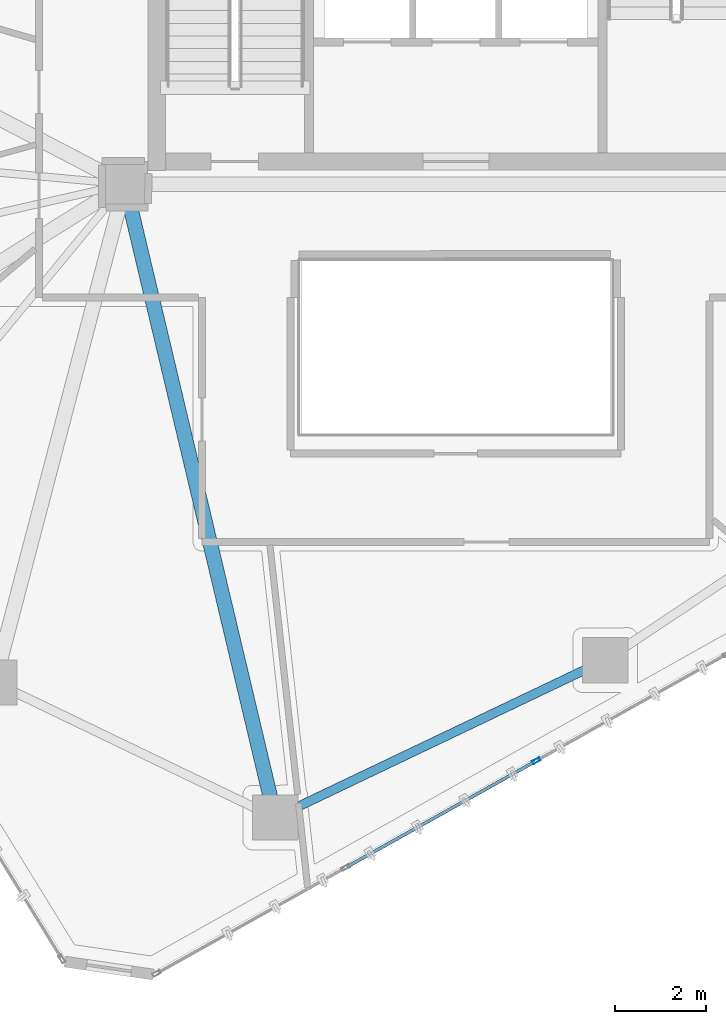
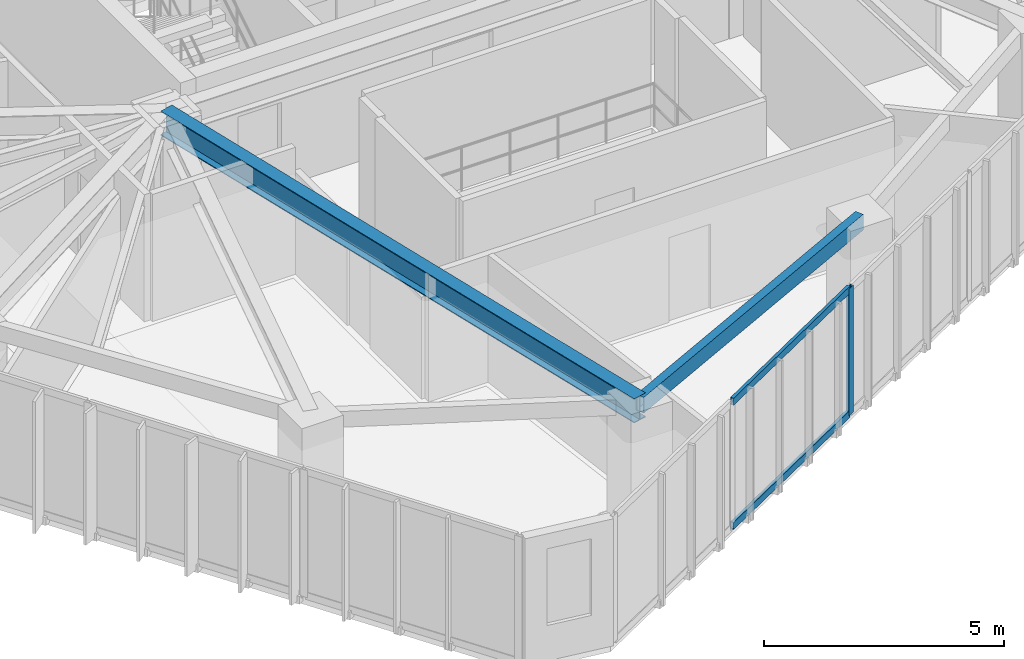
# One storey, part 4 of 19: 3 members, 2 beams, 1 element without a shape of its own.
"""IFC4 building model written with IfcOpenShell, lengths in metres."""

import ifcopenshell
import ifcopenshell.guid

model = None  # the IFC model being written
_history = None  # IfcOwnerHistory: only IFC2X3 demands one
_inside = {}  # id of a spatial element -> (the spatial element, [elements in it])
_under = {}  # id of a project, library or spatial element -> (it, [spatial elements below it])
_declared = {}  # id of a project -> (the project, [libraries it declares])
_typed = {}  # id of a type object -> (the type object, [elements of that type])
_made_of = {}  # id of a material, layer set ... -> (it, [elements and type objects made of it])


def new_model(schema):
    """Start an empty IFC model of exactly this schema.

    Asked for "IFC4X3", IfcOpenShell would pick the latest addendum, in which some entities
    have other attributes; the version numbers below select the first issue.
    IFC2X3 requires an IfcOwnerHistory on every rooted entity: one is made here for all.
    """
    global model, _history
    if schema == "IFC4X3":
        model = ifcopenshell.file(schema_version=(4, 3, 0, 0))
    else:
        model = ifcopenshell.file(schema=schema)
    _inside.clear()
    _under.clear()
    _declared.clear()
    _typed.clear()
    _made_of.clear()
    _history = None
    if model.schema == "IFC2X3":
        org = make("IfcOrganization", Name="unknown")
        user = make(
            "IfcPersonAndOrganization",
            ThePerson=make("IfcPerson", FamilyName="unknown"),
            TheOrganization=org,
        )
        app = make(
            "IfcApplication",
            ApplicationDeveloper=org,
            Version="unknown",
            ApplicationFullName="unknown",
            ApplicationIdentifier="unknown",
        )
        _history = make(
            "IfcOwnerHistory",
            OwningUser=user,
            OwningApplication=app,
            ChangeAction="ADDED",
            CreationDate=0,
        )
    return model


def make(cls, **values):
    """One entity of the class cls with the attributes given. An attribute that is None is left unset."""
    return model.create_entity(
        cls, **{name: value for name, value in values.items() if value is not None}
    )


def rooted(cls, **values):
    """An entity with a GlobalId (a new one), such as an element, a storey or a relation."""
    return make(cls, GlobalId=ifcopenshell.guid.new(), OwnerHistory=_history, **values)


def si_unit(unit_type, name, prefix=None):
    """IfcSIUnit, for example si_unit("LENGTHUNIT", "METRE", prefix="MILLI")."""
    return make("IfcSIUnit", UnitType=unit_type, Prefix=prefix, Name=name)


def assignment(units):
    """IfcUnitAssignment: the units of a project."""
    return None if units is None else make("IfcUnitAssignment", Units=units)


def point(xyz):
    """IfcCartesianPoint."""
    return None if xyz is None else make("IfcCartesianPoint", Coordinates=xyz)


def direction(xyz):
    """IfcDirection."""
    return None if xyz is None else make("IfcDirection", DirectionRatios=xyz)


def frame(location, z_axis=None, x_axis=None):
    """IfcAxis2Placement3D, a coordinate frame: its origin and axes. An axis left out is left unset."""
    return make(
        "IfcAxis2Placement3D",
        Location=point(location),
        Axis=direction(z_axis),
        RefDirection=direction(x_axis),
    )


def frame_2d(location, x_axis=None):
    """IfcAxis2Placement2D, a coordinate frame in the plane: its origin and x axis."""
    return make(
        "IfcAxis2Placement2D", Location=point(location), RefDirection=direction(x_axis)
    )


def origin():
    """The frame at (0, 0, 0) with its axes left unset."""
    return frame((0.0, 0.0, 0.0))


def origin_2d():
    """The frame at (0, 0) in the plane with its x axis left unset."""
    return frame_2d((0.0, 0.0))


def place(relative_to, where):
    """IfcLocalPlacement: puts the frame where relative to a parent placement (None: the world)."""
    return make(
        "IfcLocalPlacement", PlacementRelTo=relative_to, RelativePlacement=where
    )


def context(
    kind, dimensions, precision=None, world=None, true_north=None, identifier=None
):
    """IfcGeometricRepresentationContext, for example the 3D "Model" context."""
    return make(
        "IfcGeometricRepresentationContext",
        ContextIdentifier=identifier,
        ContextType=kind,
        CoordinateSpaceDimension=dimensions,
        Precision=precision,
        WorldCoordinateSystem=world,
        TrueNorth=true_north,
    )


def subcontext(parent, identifier, kind, view, scale=None):
    """IfcGeometricRepresentationSubContext, for example "Body" below "Model"."""
    return make(
        "IfcGeometricRepresentationSubContext",
        ContextIdentifier=identifier,
        ContextType=kind,
        ParentContext=parent,
        TargetScale=scale,
        TargetView=view,
    )


def project(units=None, contexts=None):
    """IfcProject with its units and contexts."""
    return rooted(
        "IfcProject",
        Name="project",
        RepresentationContexts=contexts,
        UnitsInContext=assignment(units),
    )


def spatial(cls, under=None, at=None, **own):
    """A site, building, storey or space (cls), placed at a placement, below another one or the project."""
    s = rooted(cls, ObjectPlacement=at, **own)
    if under is not None:
        _under.setdefault(under.id(), (under, []))[1].append(s)
    return s


def profile(cls, at=None, kind="AREA", **sizes):
    """A parametric profile (cls). Its sizes go by their IFC names, for example OverallWidth=200.0."""
    return make(cls, ProfileType=kind, Position=at, **sizes)


def hollow_rectangle(**sizes):
    """IfcRectangleHollowProfileDef."""
    return profile("IfcRectangleHollowProfileDef", **sizes)


def i_section(**sizes):
    """IfcIShapeProfileDef."""
    return profile("IfcIShapeProfileDef", **sizes)


def extrude(swept, where, along, depth):
    """IfcExtrudedAreaSolid: the profile swept, set in the frame where, extruded along a direction by depth."""
    return make(
        "IfcExtrudedAreaSolid",
        SweptArea=swept,
        Position=where,
        ExtrudedDirection=direction(along),
        Depth=depth,
    )


def shape(context_of_items, identifier, shape_type, items):
    """IfcShapeRepresentation: the items that make up one representation, for example the "Body"."""
    return make(
        "IfcShapeRepresentation",
        ContextOfItems=context_of_items,
        RepresentationIdentifier=identifier,
        RepresentationType=shape_type,
        Items=items,
    )


def source(mapping_origin, context_of_items, identifier, shape_type, items):
    """IfcRepresentationMap: a shape defined once, which mapped items show again and again."""
    return make(
        "IfcRepresentationMap",
        MappingOrigin=mapping_origin,
        MappedRepresentation=shape(context_of_items, identifier, shape_type, items),
    )


def transform(
    local_origin,
    x_axis=None,
    y_axis=None,
    z_axis=None,
    scale=None,
    scale2=None,
    scale3=None,
    uniform=True,
):
    """IfcCartesianTransformationOperator3D, or its non-uniform kind. x_axis, y_axis, z_axis: its Axis1, 2, 3."""
    if uniform:
        return make(
            "IfcCartesianTransformationOperator3D",
            Axis1=direction(x_axis),
            Axis2=direction(y_axis),
            LocalOrigin=point(local_origin),
            Scale=scale,
            Axis3=direction(z_axis),
        )
    return make(
        "IfcCartesianTransformationOperator3DnonUniform",
        Axis1=direction(x_axis),
        Axis2=direction(y_axis),
        LocalOrigin=point(local_origin),
        Scale=scale,
        Axis3=direction(z_axis),
        Scale2=scale2,
        Scale3=scale3,
    )


def mapped(mapping_source, mapping_target):
    """IfcMappedItem: shows the shape of a source again, moved by a transform."""
    return make(
        "IfcMappedItem", MappingSource=mapping_source, MappingTarget=mapping_target
    )


def material(Name=None, Category=None):
    """IfcMaterial."""
    return make("IfcMaterial", Name=Name, Category=Category)


def layer(
    of_material, thickness, ventilated=None, Name=None, Category=None, Priority=None
):
    """IfcMaterialLayer: one layer of a wall or slab, of a material (None: an air gap)."""
    return make(
        "IfcMaterialLayer",
        Material=of_material,
        LayerThickness=thickness,
        IsVentilated=ventilated,
        Name=Name,
        Category=Category,
        Priority=Priority,
    )


def layer_set(layers, Name=None):
    """IfcMaterialLayerSet."""
    return make("IfcMaterialLayerSet", MaterialLayers=layers, LayerSetName=Name)


def material_profile(
    of_material, cross_section, Name=None, Category=None, Priority=None
):
    """IfcMaterialProfile: a cross section and its material."""
    return make(
        "IfcMaterialProfile",
        Name=Name,
        Material=of_material,
        Profile=cross_section,
        Priority=Priority,
        Category=Category,
    )


def profile_set(profiles, Name=None, composite=None):
    """IfcMaterialProfileSet."""
    return make(
        "IfcMaterialProfileSet",
        Name=Name,
        MaterialProfiles=profiles,
        CompositeProfile=composite,
    )


def made_of(thing, what):
    """Note that an element or type object is made of a material, layer set ...; save() writes the relation."""
    if what is not None:
        _made_of.setdefault(what.id(), (what, []))[1].append(thing)
    return thing


def type_object(cls, material=None, **own):
    """A type object (cls), such as IfcWallType, which elements share."""
    return made_of(rooted(cls, **own), material)


def type_shapes(of_type, sources):
    """Give a type object the sources (RepresentationMaps) that its elements show as mapped items."""
    of_type.RepresentationMaps = sources


def element(
    cls,
    number,
    at=None,
    inside=None,
    cuts=None,
    type_object=None,
    material=None,
    context=None,
    identifier="Body",
    shape_type=None,
    held_by="IfcProductDefinitionShape",
    body=None,
    shapes=None,
    **own,
):
    """One element of the class cls, such as IfcWall. Its Tag is "e" and its number.

    at: its placement. inside: the storey or other place that contains it. cuts: it is an
    opening in that element (IfcRelVoidsElement). A single representation is given by context,
    identifier, shape_type and body (its items); several are given by shapes. held_by: the class
    of the entity that holds the representations. save() writes the other relations.
    """
    e = rooted(cls, Tag="e%d" % number, ObjectPlacement=at, **own)
    if body is not None:
        shapes = [shape(context, identifier, shape_type, body)]
    if shapes is not None:
        e.Representation = make(held_by, Representations=shapes)
    if inside is not None:
        _inside.setdefault(inside.id(), (inside, []))[1].append(e)
    if cuts is not None:
        rooted(
            "IfcRelVoidsElement", RelatingBuildingElement=cuts, RelatedOpeningElement=e
        )
    if type_object is not None:
        _typed.setdefault(type_object.id(), (type_object, []))[1].append(e)
    return made_of(e, material)


def aggregate(whole, parts):
    """IfcRelAggregates: a whole, such as a stair, and the parts it consists of."""
    return rooted("IfcRelAggregates", RelatingObject=whole, RelatedObjects=parts)


def save(model, path):
    """Write the relations noted so far, then the file.

    IfcRelAggregates (storeys below a building ...), IfcRelContainedInSpatialStructure (elements
    in a storey), IfcRelDefinesByType, IfcRelAssociatesMaterial and IfcRelDeclares: one each for
    every whole, place, type object, material and project.
    """
    for whole, parts in _under.values():
        aggregate(whole, parts)
    for where, things in _inside.values():
        rooted(
            "IfcRelContainedInSpatialStructure",
            RelatedElements=things,
            RelatingStructure=where,
        )
    for kind, things in _typed.values():
        rooted("IfcRelDefinesByType", RelatedObjects=things, RelatingType=kind)
    for what, things in _made_of.values():
        rooted("IfcRelAssociatesMaterial", RelatedObjects=things, RelatingMaterial=what)
    for by, libraries in _declared.values():
        rooted("IfcRelDeclares", RelatingContext=by, RelatedDefinitions=libraries)
    model.write(path)


model = new_model("IFC4")

# Units and contexts
model_context = context("Model", 3, precision=1e-05, world=origin(), true_north=direction((0.0, 1.0)))
body_context = subcontext(model_context, "Body", "Model", "MODEL_VIEW")
ifc_project = project(units=[si_unit("LENGTHUNIT", "METRE"), si_unit("AREAUNIT", "SQUARE_METRE"), si_unit("VOLUMEUNIT", "CUBIC_METRE"), si_unit("PLANEANGLEUNIT", "RADIAN"), si_unit("MASSUNIT", "GRAM", prefix="KILO")], contexts=[model_context])

# Site, building, storey
site_placement = place(None, origin())
site = spatial("IfcSite", under=ifc_project, at=site_placement, CompositionType="ELEMENT")
building_placement = place(site_placement, origin())
building = spatial("IfcBuilding", under=site, at=building_placement, Name="Talar Marvaseh", CompositionType="ELEMENT")
storey_placement = place(building_placement, frame((0.0, 0.0, 177.5)))
storey = spatial("IfcBuildingStorey", under=building, at=storey_placement, Name="L46", CompositionType="ELEMENT", Elevation=177.5)

# Beams
ifc_material_1 = material(Name="Steel S355", Category="steel")
ifc_material_profile_1 = material_profile(ifc_material_1, hollow_rectangle(XDim=0.199951171875, YDim=0.39990234375, WallThickness=0.013916015625, at=origin_2d()), Name="RHS400x200x14")
ifc_profile_set_1 = profile_set([ifc_material_profile_1], Name="Steel S355")
beam_type_1 = type_object("IfcBeamType", Name="Zone 3 Perimeter Spandrel Beam RHS400x200x14", PredefinedType="SPANDREL", material=ifc_profile_set_1)
beam_1_placement = place(storey_placement, frame((29.299072265625, 14.993896484375, 3.030029296875), z_axis=(-0.902562267408, -0.430559349511, 0.0), x_axis=(0.430559349511, -0.902562267408, 0.0)))
element("IfcBeam", 1, at=beam_1_placement, inside=storey, type_object=beam_type_1, Name="L46 Zone 3 Perimeter Spandrel Beam RHS400x200x14", PredefinedType="SPANDREL", context=body_context, shape_type="SweptSolid", body=[
    extrude(hollow_rectangle(XDim=0.199951171875, YDim=0.39990234375, WallThickness=0.013916015625, at=origin_2d()), origin(), (0.0, 0.0, 1.0), 8.070556640625),
])
ifc_material_profile_2 = material_profile(ifc_material_1, i_section(OverallWidth=0.324951171875, OverallDepth=0.615966796875, WebThickness=0.013916015625, FlangeThickness=0.021484375, at=origin_2d()), Name="W610x174")
ifc_profile_set_2 = profile_set([ifc_material_profile_2], Name="Steel S355")
beam_type_2 = type_object("IfcBeamType", Name="Zone 3 Radial Floor Girder W610x174", PredefinedType="BEAM", material=ifc_profile_set_2)
beam_2_placement = place(storey_placement, frame((22.014892578125, 11.51904296875, 2.922119140625), z_axis=(-0.230707708791, 0.973023099985, 0.0), x_axis=(-0.973023099985, -0.230707708791, 0.0)))
element("IfcBeam", 2, at=beam_2_placement, inside=storey, type_object=beam_type_2, Name="L46 Zone 3 Radial Floor Girder W610x174", PredefinedType="BEAM", context=body_context, shape_type="SweptSolid", body=[
    extrude(i_section(OverallWidth=0.324951171875, OverallDepth=0.615966796875, WebThickness=0.013916015625, FlangeThickness=0.021484375, at=origin_2d()), origin(), (0.0, 0.0, 1.0), 14.36865234375),
])

# Curtain wall, members
ifc_material_2 = material(Name="Architectural Aluminium", Category="aluminium")
ifc_layer = layer(ifc_material_2, 0.18994140625)
ifc_layer_set = layer_set([ifc_layer], Name="Architectural Aluminium")
curtain_wall_type = type_object("IfcCurtainWallType", Name="Unitised Solar Atelier Curtain Wall Z3", PredefinedType="NOTDEFINED", material=ifc_layer_set)
curtain_wall_placement = place(storey_placement, origin())
curtain_wall = element("IfcCurtainWall", 3, at=curtain_wall_placement, inside=storey, type_object=curtain_wall_type, Name="L46 Unitised Solar Atelier Curtain Wall Z3", PredefinedType="NOTDEFINED")
ifc_material_profile_3 = material_profile(ifc_material_2, hollow_rectangle(XDim=0.074951171875, YDim=0.179931640625, WallThickness=0.0048828125, at=origin_2d()), Name="RHS180x75x5")
ifc_profile_set_3 = profile_set([ifc_material_profile_3], Name="Architectural Aluminium")
member_type_1 = type_object("IfcMemberType", Name="Unitised Curtain Wall Standard Mullion RHS180x75x5", PredefinedType="MULLION", material=ifc_profile_set_3)
shared_shape_1 = source(origin(), body_context, "Body", "SweptSolid", [
    extrude(hollow_rectangle(XDim=0.074951171875, YDim=0.179931640625, WallThickness=0.0048828125, at=origin_2d()), origin(), (0.0, 0.0, 1.0), 3.22998046875),
])
type_shapes(member_type_1, [shared_shape_1])
member_1_placement = place(storey_placement, frame((27.778076171875, 12.77294921875, 0.0), z_axis=(0.0, 0.0, 1.0), x_axis=(0.488755550357, -0.872420776916, 0.0)))
member_1 = element("IfcMember", 4, at=member_1_placement, type_object=member_type_1, Name="CW-Z3 mullion 3", PredefinedType="MULLION", context=body_context, shape_type="MappedRepresentation", body=[
    mapped(shared_shape_1, transform((0.0, 0.0, 0.0), x_axis=(1.0, 0.0, 0.0), y_axis=(0.0, 1.0, 0.0), z_axis=(0.0, 0.0, 1.0), scale=1.0)),
])
ifc_material_profile_4 = material_profile(ifc_material_2, hollow_rectangle(XDim=0.074951171875, YDim=0.179931640625, WallThickness=0.0048828125, at=origin_2d()), Name="RHS180x75x5")
ifc_profile_set_4 = profile_set([ifc_material_profile_4], Name="Architectural Aluminium")
member_type_2 = type_object("IfcMemberType", Name="Unitised Curtain Wall Transom RHS180x75x5", PredefinedType="USERDEFINED", material=ifc_profile_set_4)
shared_shape_2 = source(origin(), body_context, "Body", "SweptSolid", [
    extrude(hollow_rectangle(XDim=0.074951171875, YDim=0.179931640625, WallThickness=0.0048828125, at=origin_2d()), origin(), (0.0, 0.0, 1.0), 4.7470703125),
])
type_shapes(member_type_2, [shared_shape_2])
member_2_placement = place(storey_placement, frame((27.745361328125, 12.754638671875, 0.03759765625), z_axis=(-0.872436725621, -0.488727081088, 0.0), x_axis=(0.488727081088, -0.872436725621, 0.0)))
member_2 = element("IfcMember", 5, at=member_2_placement, type_object=member_type_2, Name="CW-Z3 transom 3.1", ObjectType="TRANSOM", PredefinedType="USERDEFINED", context=body_context, shape_type="MappedRepresentation", body=[
    mapped(shared_shape_2, transform((0.0, 0.0, 0.0), x_axis=(1.0, 0.0, 0.0), y_axis=(0.0, 1.0, 0.0), z_axis=(0.0, 0.0, 1.0), scale=1.0)),
])
member_3_placement = place(storey_placement, frame((27.745361328125, 12.754638671875, 3.1923828125), z_axis=(-0.872436725621, -0.488727081088, 0.0), x_axis=(0.488727081088, -0.872436725621, 0.0)))
member_3 = element("IfcMember", 6, at=member_3_placement, type_object=member_type_2, Name="CW-Z3 transom 3.2", ObjectType="TRANSOM", PredefinedType="USERDEFINED", context=body_context, shape_type="MappedRepresentation", body=[
    mapped(shared_shape_2, transform((0.0, 0.0, 0.0), x_axis=(1.0, 0.0, 0.0), y_axis=(0.0, 1.0, 0.0), z_axis=(0.0, 0.0, 1.0), scale=1.0)),
])
aggregate(curtain_wall, [member_1, member_2, member_3])

save(model, "model.ifc")
